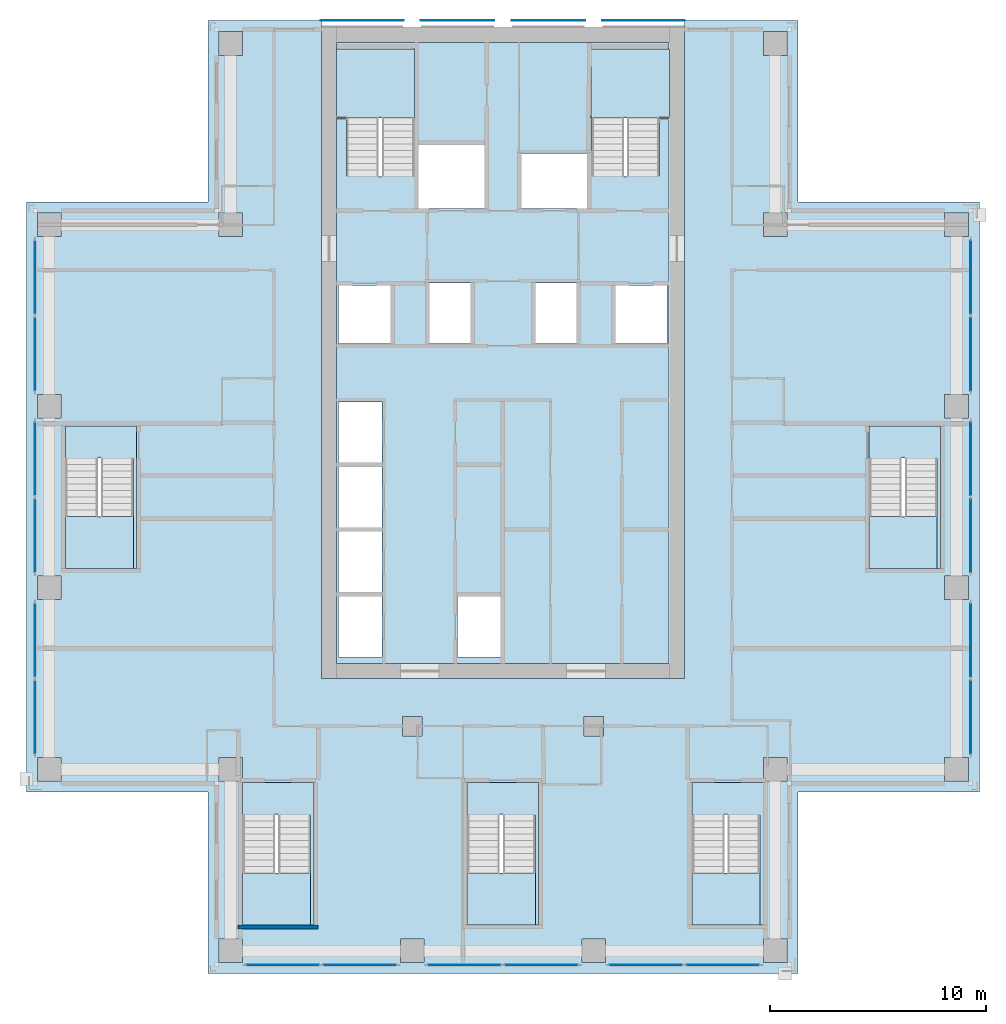
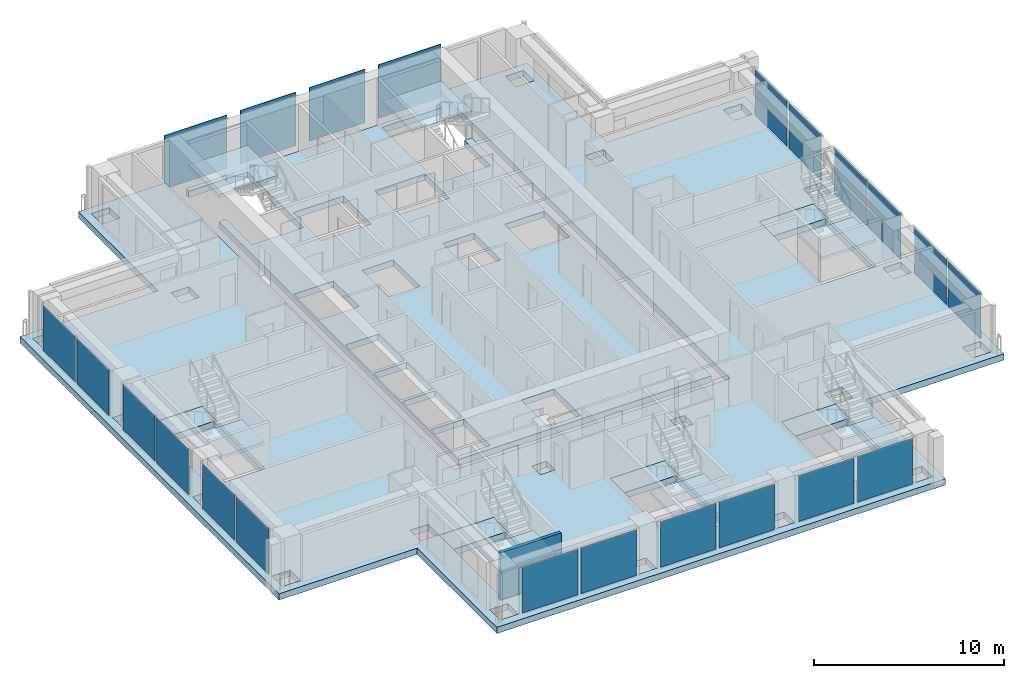
# One storey, part 8 of 16: 22 plates, 14 slabs, 1 wall, 16 elements without a shape of their own.
"""IFC4 building model written with IfcOpenShell, lengths in metres."""

from ifc_helpers import new_model, si_unit, direction, frame, frame_2d, origin, origin_2d, place, context, subcontext, project, spatial, polyline, rectangle, outline, extrude, material, layer, layer_set, type_object, element, aggregate, save


model = new_model("IFC4")

# Units and contexts
model_context = context("Model", 3, precision=1e-05, world=origin(), true_north=direction((0.0, 1.0)))
body_context = subcontext(model_context, "Body", "Model", "MODEL_VIEW")
ifc_project = project(units=[si_unit("LENGTHUNIT", "METRE"), si_unit("AREAUNIT", "SQUARE_METRE"), si_unit("VOLUMEUNIT", "CUBIC_METRE"), si_unit("PLANEANGLEUNIT", "RADIAN"), si_unit("MASSUNIT", "GRAM", prefix="KILO")], contexts=[model_context])

# Site, building, storey
site_placement = place(None, origin())
site = spatial("IfcSite", under=ifc_project, at=site_placement, CompositionType="ELEMENT")
building_placement = place(site_placement, origin())
building = spatial("IfcBuilding", under=site, at=building_placement, Name="Vermilion Ogive Tower", CompositionType="ELEMENT")
storey_placement = place(building_placement, frame((0.0, 0.0, 136.550048828125)))
storey = spatial("IfcBuildingStorey", under=building, at=storey_placement, Name="L34", CompositionType="ELEMENT", Elevation=136.550048828125)

# Curtain wall, plates
ifc_material_1 = material(Name="Low-iron laminated glazing in aluminium frame", Category="aluminium")
curtain_wall_type = type_object("IfcCurtainWallType", Name="Curtain wall CW7", PredefinedType="NOTDEFINED", material=ifc_material_1)
curtain_wall_1_placement = place(storey_placement, origin())
curtain_wall_1 = element("IfcCurtainWall", 1, at=curtain_wall_1_placement, inside=storey, type_object=curtain_wall_type, Name="Glazed skin S1", PredefinedType="NOTDEFINED")
ifc_material_2 = material(Name="Low-iron laminated glazing in aluminium frame", Category="aluminium")
ifc_layer_1 = layer(ifc_material_2, 0.031982421875)
ifc_layer_set_1 = layer_set([ifc_layer_1], Name="CW7 glazing panel 32")
plate_type_1 = type_object("IfcPlateType", Name="CW7 glazing panel 32", PredefinedType="CURTAIN_PANEL", material=ifc_layer_set_1)
plate_1_placement = place(storey_placement, frame((-10.179931640625, -21.64990234375, 0.06005859375), z_axis=(0.0, 0.0, 1.0), x_axis=(1.0, 0.0, 0.0)))
plate_1 = element("IfcPlate", 2, at=plate_1_placement, type_object=plate_type_1, Name="CW7-S1 panel 1.1", PredefinedType="CURTAIN_PANEL", context=body_context, shape_type="SweptSolid", body=[
    extrude(rectangle(XDim=3.3798828125, YDim=0.031982421875, at=origin_2d()), origin(), (0.0, 0.0, 1.0), 2.929931640625),
])
plate_2_placement = place(storey_placement, frame((-6.6201171875, -21.64990234375, 0.06005859375), z_axis=(0.0, 0.0, 1.0), x_axis=(1.0, 0.0, 0.0)))
plate_2 = element("IfcPlate", 3, at=plate_2_placement, type_object=plate_type_1, Name="CW7-S1 panel 2.1", PredefinedType="CURTAIN_PANEL", context=body_context, shape_type="SweptSolid", body=[
    extrude(rectangle(XDim=3.3798828125, YDim=0.031982421875, at=origin_2d()), origin(), (0.0, 0.0, 1.0), 2.929931640625),
])
aggregate(curtain_wall_1, [plate_1, plate_2])

curtain_wall_2_placement = place(storey_placement, origin())
curtain_wall_2 = element("IfcCurtainWall", 4, at=curtain_wall_2_placement, inside=storey, type_object=curtain_wall_type, Name="Glazed skin S2", PredefinedType="NOTDEFINED")
plate_3_placement = place(storey_placement, frame((-1.780029296875, -21.64990234375, 0.06005859375), z_axis=(0.0, 0.0, 1.0), x_axis=(1.0, 0.0, 0.0)))
plate_3 = element("IfcPlate", 5, at=plate_3_placement, type_object=plate_type_1, Name="CW7-S2 panel 1.1", PredefinedType="CURTAIN_PANEL", context=body_context, shape_type="SweptSolid", body=[
    extrude(rectangle(XDim=3.3798828125, YDim=0.031982421875, at=origin_2d()), origin(), (0.0, 0.0, 1.0), 2.929931640625),
])
plate_4_placement = place(storey_placement, frame((1.780029296875, -21.64990234375, 0.06005859375), z_axis=(0.0, 0.0, 1.0), x_axis=(1.0, 0.0, 0.0)))
plate_4 = element("IfcPlate", 6, at=plate_4_placement, type_object=plate_type_1, Name="CW7-S2 panel 2.1", PredefinedType="CURTAIN_PANEL", context=body_context, shape_type="SweptSolid", body=[
    extrude(rectangle(XDim=3.3798828125, YDim=0.031982421875, at=origin_2d()), origin(), (0.0, 0.0, 1.0), 2.929931640625),
])
aggregate(curtain_wall_2, [plate_3, plate_4])

curtain_wall_3_placement = place(storey_placement, origin())
curtain_wall_3 = element("IfcCurtainWall", 7, at=curtain_wall_3_placement, inside=storey, type_object=curtain_wall_type, Name="Glazed skin S3", PredefinedType="NOTDEFINED")
plate_5_placement = place(storey_placement, frame((6.6201171875, -21.64990234375, 0.06005859375), z_axis=(0.0, 0.0, 1.0), x_axis=(1.0, 0.0, 0.0)))
plate_5 = element("IfcPlate", 8, at=plate_5_placement, type_object=plate_type_1, Name="CW7-S3 panel 1.1", PredefinedType="CURTAIN_PANEL", context=body_context, shape_type="SweptSolid", body=[
    extrude(rectangle(XDim=3.3798828125, YDim=0.031982421875, at=origin_2d()), origin(), (0.0, 0.0, 1.0), 2.929931640625),
])
plate_6_placement = place(storey_placement, frame((10.179931640625, -21.64990234375, 0.06005859375), z_axis=(0.0, 0.0, 1.0), x_axis=(1.0, 0.0, 0.0)))
plate_6 = element("IfcPlate", 9, at=plate_6_placement, type_object=plate_type_1, Name="CW7-S3 panel 2.1", PredefinedType="CURTAIN_PANEL", context=body_context, shape_type="SweptSolid", body=[
    extrude(rectangle(XDim=3.3798828125, YDim=0.031982421875, at=origin_2d()), origin(), (0.0, 0.0, 1.0), 2.929931640625),
])
aggregate(curtain_wall_3, [plate_5, plate_6])

curtain_wall_4_placement = place(storey_placement, origin())
curtain_wall_4 = element("IfcCurtainWall", 10, at=curtain_wall_4_placement, inside=storey, type_object=curtain_wall_type, Name="Glazed skin E1", PredefinedType="NOTDEFINED")
plate_7_placement = place(storey_placement, frame((21.64990234375, -10.179931640625, 0.06005859375), z_axis=(0.0, 0.0, 1.0), x_axis=(0.0, 1.0, 0.0)))
plate_7 = element("IfcPlate", 11, at=plate_7_placement, type_object=plate_type_1, Name="CW7-E1 panel 1.1", PredefinedType="CURTAIN_PANEL", context=body_context, shape_type="SweptSolid", body=[
    extrude(rectangle(XDim=3.3798828125, YDim=0.031982421875, at=origin_2d()), origin(), (0.0, 0.0, 1.0), 2.929931640625),
])
plate_8_placement = place(storey_placement, frame((21.64990234375, -6.6201171875, 0.06005859375), z_axis=(0.0, 0.0, 1.0), x_axis=(0.0, 1.0, 0.0)))
plate_8 = element("IfcPlate", 12, at=plate_8_placement, type_object=plate_type_1, Name="CW7-E1 panel 2.1", PredefinedType="CURTAIN_PANEL", context=body_context, shape_type="SweptSolid", body=[
    extrude(rectangle(XDim=3.3798828125, YDim=0.031982421875, at=origin_2d()), origin(), (0.0, 0.0, 1.0), 2.929931640625),
])
aggregate(curtain_wall_4, [plate_7, plate_8])

curtain_wall_5_placement = place(storey_placement, origin())
curtain_wall_5 = element("IfcCurtainWall", 13, at=curtain_wall_5_placement, inside=storey, type_object=curtain_wall_type, Name="Glazed skin E2", PredefinedType="NOTDEFINED")
plate_9_placement = place(storey_placement, frame((21.64990234375, -1.780029296875, 0.06005859375), z_axis=(0.0, 0.0, 1.0), x_axis=(0.0, 1.0, 0.0)))
plate_9 = element("IfcPlate", 14, at=plate_9_placement, type_object=plate_type_1, Name="CW7-E2 panel 1.1", PredefinedType="CURTAIN_PANEL", context=body_context, shape_type="SweptSolid", body=[
    extrude(rectangle(XDim=3.3798828125, YDim=0.031982421875, at=origin_2d()), origin(), (0.0, 0.0, 1.0), 2.929931640625),
])
plate_10_placement = place(storey_placement, frame((21.64990234375, 1.780029296875, 0.06005859375), z_axis=(0.0, 0.0, 1.0), x_axis=(0.0, 1.0, 0.0)))
plate_10 = element("IfcPlate", 15, at=plate_10_placement, type_object=plate_type_1, Name="CW7-E2 panel 2.1", PredefinedType="CURTAIN_PANEL", context=body_context, shape_type="SweptSolid", body=[
    extrude(rectangle(XDim=3.3798828125, YDim=0.031982421875, at=origin_2d()), origin(), (0.0, 0.0, 1.0), 2.929931640625),
])
aggregate(curtain_wall_5, [plate_9, plate_10])

curtain_wall_6_placement = place(storey_placement, origin())
curtain_wall_6 = element("IfcCurtainWall", 16, at=curtain_wall_6_placement, inside=storey, type_object=curtain_wall_type, Name="Glazed skin E3", PredefinedType="NOTDEFINED")
plate_11_placement = place(storey_placement, frame((21.64990234375, 6.6201171875, 0.06005859375), z_axis=(0.0, 0.0, 1.0), x_axis=(0.0, 1.0, 0.0)))
plate_11 = element("IfcPlate", 17, at=plate_11_placement, type_object=plate_type_1, Name="CW7-E3 panel 1.1", PredefinedType="CURTAIN_PANEL", context=body_context, shape_type="SweptSolid", body=[
    extrude(rectangle(XDim=3.3798828125, YDim=0.031982421875, at=origin_2d()), origin(), (0.0, 0.0, 1.0), 2.929931640625),
])
plate_12_placement = place(storey_placement, frame((21.64990234375, 10.179931640625, 0.06005859375), z_axis=(0.0, 0.0, 1.0), x_axis=(0.0, 1.0, 0.0)))
plate_12 = element("IfcPlate", 18, at=plate_12_placement, type_object=plate_type_1, Name="CW7-E3 panel 2.1", PredefinedType="CURTAIN_PANEL", context=body_context, shape_type="SweptSolid", body=[
    extrude(rectangle(XDim=3.3798828125, YDim=0.031982421875, at=origin_2d()), origin(), (0.0, 0.0, 1.0), 2.929931640625),
])
aggregate(curtain_wall_6, [plate_11, plate_12])

curtain_wall_7_placement = place(storey_placement, origin())
curtain_wall_7 = element("IfcCurtainWall", 19, at=curtain_wall_7_placement, inside=storey, type_object=curtain_wall_type, Name="Glazed skin W1", PredefinedType="NOTDEFINED")
plate_13_placement = place(storey_placement, frame((-21.64990234375, 10.179931640625, 0.06005859375), z_axis=(0.0, 0.0, 1.0), x_axis=(0.0, -1.0, 0.0)))
plate_13 = element("IfcPlate", 20, at=plate_13_placement, type_object=plate_type_1, Name="CW7-W1 panel 1.1", PredefinedType="CURTAIN_PANEL", context=body_context, shape_type="SweptSolid", body=[
    extrude(rectangle(XDim=3.3798828125, YDim=0.031982421875, at=origin_2d()), origin(), (0.0, 0.0, 1.0), 2.929931640625),
])
plate_14_placement = place(storey_placement, frame((-21.64990234375, 6.6201171875, 0.06005859375), z_axis=(0.0, 0.0, 1.0), x_axis=(0.0, -1.0, 0.0)))
plate_14 = element("IfcPlate", 21, at=plate_14_placement, type_object=plate_type_1, Name="CW7-W1 panel 2.1", PredefinedType="CURTAIN_PANEL", context=body_context, shape_type="SweptSolid", body=[
    extrude(rectangle(XDim=3.3798828125, YDim=0.031982421875, at=origin_2d()), origin(), (0.0, 0.0, 1.0), 2.929931640625),
])
aggregate(curtain_wall_7, [plate_13, plate_14])

curtain_wall_8_placement = place(storey_placement, origin())
curtain_wall_8 = element("IfcCurtainWall", 22, at=curtain_wall_8_placement, inside=storey, type_object=curtain_wall_type, Name="Glazed skin W2", PredefinedType="NOTDEFINED")
plate_15_placement = place(storey_placement, frame((-21.64990234375, 1.780029296875, 0.06005859375), z_axis=(0.0, 0.0, 1.0), x_axis=(0.0, -1.0, 0.0)))
plate_15 = element("IfcPlate", 23, at=plate_15_placement, type_object=plate_type_1, Name="CW7-W2 panel 1.1", PredefinedType="CURTAIN_PANEL", context=body_context, shape_type="SweptSolid", body=[
    extrude(rectangle(XDim=3.3798828125, YDim=0.031982421875, at=origin_2d()), origin(), (0.0, 0.0, 1.0), 2.929931640625),
])
plate_16_placement = place(storey_placement, frame((-21.64990234375, -1.780029296875, 0.06005859375), z_axis=(0.0, 0.0, 1.0), x_axis=(0.0, -1.0, 0.0)))
plate_16 = element("IfcPlate", 24, at=plate_16_placement, type_object=plate_type_1, Name="CW7-W2 panel 2.1", PredefinedType="CURTAIN_PANEL", context=body_context, shape_type="SweptSolid", body=[
    extrude(rectangle(XDim=3.3798828125, YDim=0.031982421875, at=origin_2d()), origin(), (0.0, 0.0, 1.0), 2.929931640625),
])
aggregate(curtain_wall_8, [plate_15, plate_16])

curtain_wall_9_placement = place(storey_placement, origin())
curtain_wall_9 = element("IfcCurtainWall", 25, at=curtain_wall_9_placement, inside=storey, type_object=curtain_wall_type, Name="Glazed skin W3", PredefinedType="NOTDEFINED")
plate_17_placement = place(storey_placement, frame((-21.64990234375, -6.6201171875, 0.06005859375), z_axis=(0.0, 0.0, 1.0), x_axis=(0.0, -1.0, 0.0)))
plate_17 = element("IfcPlate", 26, at=plate_17_placement, type_object=plate_type_1, Name="CW7-W3 panel 1.1", PredefinedType="CURTAIN_PANEL", context=body_context, shape_type="SweptSolid", body=[
    extrude(rectangle(XDim=3.3798828125, YDim=0.031982421875, at=origin_2d()), origin(), (0.0, 0.0, 1.0), 2.929931640625),
])
plate_18_placement = place(storey_placement, frame((-21.64990234375, -10.179931640625, 0.06005859375), z_axis=(0.0, 0.0, 1.0), x_axis=(0.0, -1.0, 0.0)))
plate_18 = element("IfcPlate", 27, at=plate_18_placement, type_object=plate_type_1, Name="CW7-W3 panel 2.1", PredefinedType="CURTAIN_PANEL", context=body_context, shape_type="SweptSolid", body=[
    extrude(rectangle(XDim=3.3798828125, YDim=0.031982421875, at=origin_2d()), origin(), (0.0, 0.0, 1.0), 2.929931640625),
])
aggregate(curtain_wall_9, [plate_17, plate_18])

# Slabs
ifc_material_3 = material(Name="Concrete B40", Category="concrete")
ifc_layer_2 = layer(ifc_material_3, 0.39990234375)
ifc_layer_set_2 = layer_set([ifc_layer_2], Name="Core floor slab 400 B40")
slab_type_1 = type_object("IfcSlabType", Name="Core floor slab 400 B40", PredefinedType="FLOOR", material=ifc_layer_set_2)
slab_1_placement = place(storey_placement, frame((0.0, 0.0, -0.400146484375)))
element("IfcSlab", 28, at=slab_1_placement, inside=storey, type_object=slab_type_1, Name="L34-CK-FS1", PredefinedType="FLOOR", context=body_context, shape_type="SweptSolid", body=[
    extrude(outline(polyline([(5.75, 14.85009765625), (5.60009765625, 14.85009765625), (5.60009765625, 14.85205078125), (4.10009765625, 14.85205078125), (4.10009765625, 17.550048828125), (4.074951171875, 17.550048828125), (4.074951171875, 20.75), (7.696044921875, 20.75), (7.696044921875, 21.0458984375), (-7.696044921875, 21.0458984375), (-7.696044921875, 20.75), (-4.10009765625, 20.75), (-4.10009765625, 14.85205078125), (-5.60009765625, 14.85205078125), (-5.60009765625, 14.85009765625), (-5.75, 14.85009765625), (-5.75, 14.85205078125), (-7.25, 14.85205078125), (-7.25, 17.550048828125), (-7.696044921875, 17.550048828125), (-7.696044921875, -7.696044921875), (7.696044921875, -7.696044921875), (7.696044921875, 17.550048828125), (7.25, 17.550048828125), (7.25, 14.85205078125), (5.75, 14.85205078125), (5.75, 14.85009765625)]), holes=[polyline([(-7.60009765625, -7.39990234375), (-7.60009765625, -4.60009765625), (-5.60009765625, -4.60009765625), (-5.60009765625, -7.39990234375), (-7.60009765625, -7.39990234375)]), polyline([(-7.60009765625, -4.39990234375), (-7.60009765625, -1.60009765625), (-5.60009765625, -1.60009765625), (-5.60009765625, -4.39990234375), (-7.60009765625, -4.39990234375)]), polyline([(-7.60009765625, -1.39990234375), (-7.60009765625, 1.39990234375), (-5.60009765625, 1.39990234375), (-5.60009765625, -1.39990234375), (-7.60009765625, -1.39990234375)]), polyline([(-7.60009765625, 1.60009765625), (-7.60009765625, 4.39990234375), (-5.60009765625, 4.39990234375), (-5.60009765625, 1.60009765625), (-7.60009765625, 1.60009765625)]), polyline([(-7.60009765625, 7.10009765625), (-7.60009765625, 9.800048828125), (-5.199951171875, 9.800048828125), (-5.199951171875, 7.10009765625), (-7.60009765625, 7.10009765625)]), polyline([(-3.39990234375, 9.89990234375), (-1.5, 9.89990234375), (-1.5, 7.10009765625), (-3.39990234375, 7.10009765625), (-3.39990234375, 9.89990234375)]), polyline([(-2.10009765625, -7.39990234375), (-2.10009765625, -4.60009765625), (-0.10009765625, -4.60009765625), (-0.10009765625, -7.39990234375), (-2.10009765625, -7.39990234375)]), polyline([(5.199951171875, 7.10009765625), (5.199951171875, 9.800048828125), (7.60009765625, 9.800048828125), (7.60009765625, 7.10009765625), (5.199951171875, 7.10009765625)]), polyline([(1.5, 7.10009765625), (1.5, 9.89990234375), (3.39990234375, 9.89990234375), (3.39990234375, 7.10009765625), (1.5, 7.10009765625)]), polyline([(0.85009765625, 13.35009765625), (0.85009765625, 15.89990234375), (3.89990234375, 15.89990234375), (3.89990234375, 13.35009765625), (0.85009765625, 13.35009765625)]), polyline([(-3.89990234375, 16.300048828125), (-0.85009765625, 16.300048828125), (-0.85009765625, 13.35009765625), (-3.89990234375, 13.35009765625), (-3.89990234375, 16.300048828125)])]), origin(), (0.0, 0.0, 1.0), 0.400146484375),
])
slab_2_placement = place(storey_placement, frame((0.0, 0.0, -0.400146484375)))
element("IfcSlab", 29, at=slab_2_placement, inside=storey, type_object=slab_type_1, Name="L34-SF-ST3-1", PredefinedType="FLOOR", context=body_context, shape_type="SweptSolid", body=[
    extrude(outline(polyline([(-12.050048828125, -13.199951171875), (-12.050048828125, -14.701904296875), (-10.550048828125, -14.701904296875), (-10.550048828125, -14.699951171875), (-10.39990234375, -14.699951171875), (-10.39990234375, -14.701904296875), (-8.89990234375, -14.701904296875), (-8.89990234375, -19.800048828125), (-8.75, -19.800048828125), (-8.75, -13.199951171875), (-12.050048828125, -13.199951171875)])), origin(), (0.0, 0.0, 1.0), 0.400146484375),
])
slab_3_placement = place(storey_placement, frame((0.0, 0.0, -0.400146484375)))
element("IfcSlab", 30, at=slab_3_placement, inside=storey, type_object=slab_type_1, Name="L34-SF-ST4-1", PredefinedType="FLOOR", context=body_context, shape_type="SweptSolid", body=[
    extrude(outline(polyline([(-1.64990234375, -13.199951171875), (-1.64990234375, -14.701904296875), (-0.14990234375, -14.701904296875), (-0.14990234375, -14.699951171875), (0.0, -14.699951171875), (0.0, -14.701904296875), (1.5, -14.701904296875), (1.5, -19.800048828125), (1.64990234375, -19.800048828125), (1.64990234375, -13.199951171875), (-1.64990234375, -13.199951171875)])), origin(), (0.0, 0.0, 1.0), 0.400146484375),
])
slab_4_placement = place(storey_placement, frame((0.0, 0.0, -0.400146484375)))
element("IfcSlab", 31, at=slab_4_placement, inside=storey, type_object=slab_type_1, Name="L34-SF-ST5-1", PredefinedType="FLOOR", context=body_context, shape_type="SweptSolid", body=[
    extrude(outline(polyline([(8.75, -13.199951171875), (8.75, -14.701904296875), (10.25, -14.701904296875), (10.25, -14.699951171875), (10.39990234375, -14.699951171875), (10.39990234375, -14.701904296875), (11.89990234375, -14.701904296875), (11.89990234375, -19.800048828125), (12.050048828125, -19.800048828125), (12.050048828125, -13.199951171875), (8.75, -13.199951171875)])), origin(), (0.0, 0.0, 1.0), 0.400146484375),
])
slab_5_placement = place(storey_placement, frame((0.0, 0.0, -0.400146484375)))
element("IfcSlab", 32, at=slab_5_placement, inside=storey, type_object=slab_type_1, Name="L34-SF-ST8-1", PredefinedType="FLOOR", context=body_context, shape_type="SweptSolid", body=[
    extrude(outline(polyline([(16.949951171875, 3.300048828125), (16.949951171875, 1.798095703125), (18.449951171875, 1.798095703125), (18.449951171875, 1.800048828125), (18.60009765625, 1.800048828125), (18.60009765625, 1.798095703125), (20.10009765625, 1.798095703125), (20.10009765625, -3.300048828125), (20.25, -3.300048828125), (20.25, 3.300048828125), (16.949951171875, 3.300048828125)])), origin(), (0.0, 0.0, 1.0), 0.400146484375),
])
slab_6_placement = place(storey_placement, frame((0.0, 0.0, -0.400146484375)))
element("IfcSlab", 33, at=slab_6_placement, inside=storey, type_object=slab_type_1, Name="L34-SF-ST9-1", PredefinedType="FLOOR", context=body_context, shape_type="SweptSolid", body=[
    extrude(outline(polyline([(-20.25, 3.300048828125), (-20.25, 1.798095703125), (-18.75, 1.798095703125), (-18.75, 1.800048828125), (-18.60009765625, 1.800048828125), (-18.60009765625, 1.798095703125), (-17.10009765625, 1.798095703125), (-17.10009765625, -3.300048828125), (-16.949951171875, -3.300048828125), (-16.949951171875, 3.300048828125), (-20.25, 3.300048828125)])), origin(), (0.0, 0.0, 1.0), 0.400146484375),
])

# Plates
ifc_material_4 = material(Name="Low-iron laminated glazing in aluminium frame", Category="aluminium")
ifc_layer_3 = layer(ifc_material_4, 0.031982421875)
ifc_layer_set_3 = layer_set([ifc_layer_3], Name="Glazed rainscreen sheet 32")
plate_type_2 = type_object("IfcPlateType", Name="Glazed rainscreen sheet 32", PredefinedType="SHEET", material=ifc_layer_set_3)
plate_19_placement = place(storey_placement, frame((-6.510009765625, 22.06591796875, -0.39990234375), z_axis=(0.0, 0.0, 1.0), x_axis=(1.0, 0.0, 0.0)))
element("IfcPlate", 34, at=plate_19_placement, inside=storey, type_object=plate_type_2, Name="Glazed rainscreen sheet N1", PredefinedType="SHEET", context=body_context, shape_type="SweptSolid", body=[
    extrude(rectangle(XDim=3.820068359375, YDim=0.031982421875, at=origin_2d()), origin(), (0.0, 0.0, 1.0), 3.449951171875),
])
for number, where, z_axis, x_axis, name in (
    (35, (-2.10009765625, 22.06591796875, -0.39990234375), (0.0, 0.0, 1.0), (1.0, 0.0, 0.0), "Glazed rainscreen sheet N2"),
    (36, (2.10009765625, 22.06591796875, -0.39990234375), (0.0, 0.0, 1.0), (1.0, 0.0, 0.0), "Glazed rainscreen sheet N3"),
):
    element("IfcPlate", number, at=place(storey_placement, frame(where, z_axis=z_axis, x_axis=x_axis)), inside=storey, type_object=plate_type_2, Name=name, PredefinedType="SHEET", context=body_context, shape_type="SweptSolid", body=[
        extrude(rectangle(XDim=3.39990234375, YDim=0.031982421875, at=origin_2d()), origin(), (0.0, 0.0, 1.0), 3.449951171875),
    ])
plate_20_placement = place(storey_placement, frame((6.510009765625, 22.06591796875, -0.39990234375), z_axis=(0.0, 0.0, 1.0), x_axis=(1.0, 0.0, 0.0)))
element("IfcPlate", 37, at=plate_20_placement, inside=storey, type_object=plate_type_2, Name="Glazed rainscreen sheet N4", PredefinedType="SHEET", context=body_context, shape_type="SweptSolid", body=[
    extrude(rectangle(XDim=3.820068359375, YDim=0.031982421875, at=origin_2d()), origin(), (0.0, 0.0, 1.0), 3.449951171875),
])

# Slab
ifc_material_5 = material(Name="Concrete B45", Category="concrete")
ifc_layer_4 = layer(ifc_material_5, 0.39990234375)
ifc_layer_set_4 = layer_set([ifc_layer_4], Name="Post-tensioned flat plate 400 B45")
slab_type_2 = type_object("IfcSlabType", Name="Post-tensioned flat plate 400 B45", PredefinedType="FLOOR", material=ifc_layer_set_4)
slab_7_placement = place(storey_placement, frame((0.0, 0.0, -0.400146484375)))
element("IfcSlab", 38, at=slab_7_placement, inside=storey, type_object=slab_type_2, Name="L34-SL-1", PredefinedType="FLOOR", context=body_context, shape_type="SweptSolid", body=[
    extrude(outline(polyline([(-13.64990234375, -13.64990234375), (-22.050048828125, -13.64990234375), (-22.050048828125, 13.64990234375), (-13.64990234375, 13.64990234375), (-13.64990234375, 22.050048828125), (-8.39990234375, 22.050048828125), (-8.39990234375, -8.39990234375), (8.39990234375, -8.39990234375), (8.39990234375, 22.050048828125), (13.64990234375, 22.050048828125), (13.64990234375, 13.64990234375), (22.050048828125, 13.64990234375), (22.050048828125, -13.64990234375), (13.64990234375, -13.64990234375), (13.64990234375, -22.050048828125), (-13.64990234375, -22.050048828125), (-13.64990234375, -13.64990234375)]), holes=[polyline([(21.550048828125, 12.050048828125), (21.550048828125, 13.14990234375), (20.449951171875, 13.14990234375), (20.449951171875, 12.050048828125), (21.550048828125, 12.050048828125)]), polyline([(21.550048828125, 3.64990234375), (21.550048828125, 4.75), (20.449951171875, 4.75), (20.449951171875, 3.64990234375), (21.550048828125, 3.64990234375)]), polyline([(21.550048828125, -4.75), (21.550048828125, -3.64990234375), (20.449951171875, -3.64990234375), (20.449951171875, -4.75), (21.550048828125, -4.75)]), polyline([(21.550048828125, -13.14990234375), (21.550048828125, -12.050048828125), (20.449951171875, -12.050048828125), (20.449951171875, -13.14990234375), (21.550048828125, -13.14990234375)]), polyline([(20.25, -3.300048828125), (20.25, 3.300048828125), (16.949951171875, 3.300048828125), (16.949951171875, -3.300048828125), (20.25, -3.300048828125)]), polyline([(13.14990234375, 20.449951171875), (13.14990234375, 21.550048828125), (12.050048828125, 21.550048828125), (12.050048828125, 20.449951171875), (13.14990234375, 20.449951171875)]), polyline([(13.14990234375, 12.050048828125), (13.14990234375, 13.14990234375), (12.050048828125, 13.14990234375), (12.050048828125, 12.050048828125), (13.14990234375, 12.050048828125)]), polyline([(13.14990234375, -13.14990234375), (13.14990234375, -12.050048828125), (12.050048828125, -12.050048828125), (12.050048828125, -13.14990234375), (13.14990234375, -13.14990234375)]), polyline([(13.14990234375, -21.550048828125), (13.14990234375, -20.449951171875), (12.050048828125, -20.449951171875), (12.050048828125, -21.550048828125), (13.14990234375, -21.550048828125)]), polyline([(12.050048828125, -19.800048828125), (12.050048828125, -13.199951171875), (8.75, -13.199951171875), (8.75, -19.800048828125), (12.050048828125, -19.800048828125)]), polyline([(4.75, -20.449951171875), (3.64990234375, -20.449951171875), (3.64990234375, -21.550048828125), (4.75, -21.550048828125), (4.75, -20.449951171875)]), polyline([(4.64990234375, -11.050048828125), (4.64990234375, -10.14990234375), (3.75, -10.14990234375), (3.75, -11.050048828125), (4.64990234375, -11.050048828125)]), polyline([(1.64990234375, -19.800048828125), (1.64990234375, -13.199951171875), (-1.64990234375, -13.199951171875), (-1.64990234375, -19.800048828125), (1.64990234375, -19.800048828125)]), polyline([(-3.64990234375, -21.550048828125), (-3.64990234375, -20.449951171875), (-4.75, -20.449951171875), (-4.75, -21.550048828125), (-3.64990234375, -21.550048828125)]), polyline([(-3.75, -11.050048828125), (-3.75, -10.14990234375), (-4.64990234375, -10.14990234375), (-4.64990234375, -11.050048828125), (-3.75, -11.050048828125)]), polyline([(-8.75, -19.800048828125), (-8.75, -13.199951171875), (-12.050048828125, -13.199951171875), (-12.050048828125, -19.800048828125), (-8.75, -19.800048828125)]), polyline([(-12.050048828125, 20.449951171875), (-12.050048828125, 21.550048828125), (-13.14990234375, 21.550048828125), (-13.14990234375, 20.449951171875), (-12.050048828125, 20.449951171875)]), polyline([(-12.050048828125, 12.050048828125), (-12.050048828125, 13.14990234375), (-13.14990234375, 13.14990234375), (-13.14990234375, 12.050048828125), (-12.050048828125, 12.050048828125)]), polyline([(-12.050048828125, -13.14990234375), (-12.050048828125, -12.050048828125), (-13.14990234375, -12.050048828125), (-13.14990234375, -13.14990234375), (-12.050048828125, -13.14990234375)]), polyline([(-12.050048828125, -20.449951171875), (-13.14990234375, -20.449951171875), (-13.14990234375, -21.550048828125), (-12.050048828125, -21.550048828125), (-12.050048828125, -20.449951171875)]), polyline([(-16.949951171875, -3.300048828125), (-16.949951171875, 3.300048828125), (-20.25, 3.300048828125), (-20.25, -3.300048828125), (-16.949951171875, -3.300048828125)]), polyline([(-20.449951171875, -13.14990234375), (-20.449951171875, -12.050048828125), (-21.550048828125, -12.050048828125), (-21.550048828125, -13.14990234375), (-20.449951171875, -13.14990234375)]), polyline([(-20.449951171875, 12.050048828125), (-20.449951171875, 13.14990234375), (-21.550048828125, 13.14990234375), (-21.550048828125, 12.050048828125), (-20.449951171875, 12.050048828125)]), polyline([(-20.449951171875, 3.64990234375), (-20.449951171875, 4.75), (-21.550048828125, 4.75), (-21.550048828125, 3.64990234375), (-20.449951171875, 3.64990234375)]), polyline([(-20.449951171875, -4.75), (-20.449951171875, -3.64990234375), (-21.550048828125, -3.64990234375), (-21.550048828125, -4.75), (-20.449951171875, -4.75)])]), origin(), (0.0, 0.0, 1.0), 0.400146484375),
])

# Stair, slab
ifc_material_6 = material(Name="Concrete B40", Category="concrete")
stair_type = type_object("IfcStairType", Name="Exit stair 1500", PredefinedType="HALF_TURN_STAIR", material=ifc_material_6)
stair_1_placement = place(storey_placement, origin())
stair_1 = element("IfcStair", 39, at=stair_1_placement, inside=storey, type_object=stair_type, Name="L34 Exit Stair ST1", PredefinedType="HALF_TURN_STAIR")
ifc_material_7 = material(Name="Concrete B40", Category="concrete")
ifc_layer_5 = layer(ifc_material_7, 0.199951171875)
ifc_layer_set_5 = layer_set([ifc_layer_5], Name="Stair landing 200")
slab_type_3 = type_object("IfcSlabType", Name="Stair landing 200", PredefinedType="LANDING", material=ifc_layer_set_5)
slab_8_placement = place(storey_placement, frame((0.0, 0.0, 1.52490234375)))
slab_8 = element("IfcSlab", 40, at=slab_8_placement, type_object=slab_type_3, Name="ST1 landing 1", PredefinedType="LANDING", context=body_context, shape_type="SweptSolid", body=[
    extrude(outline(polyline([(-7.699951171875, 17.550048828125), (-7.25, 17.550048828125), (-7.25, 17.548095703125), (-5.75, 17.548095703125), (-5.75, 17.550048828125), (-5.60009765625, 17.550048828125), (-5.60009765625, 17.548095703125), (-4.10009765625, 17.548095703125), (-4.10009765625, 20.75), (-7.699951171875, 20.75), (-7.699951171875, 17.550048828125)])), origin(), (0.0, 0.0, 1.0), 0.199951171875),
])
aggregate(stair_1, [slab_8])

stair_2_placement = place(storey_placement, origin())
stair_2 = element("IfcStair", 41, at=stair_2_placement, inside=storey, type_object=stair_type, Name="L34 Exit Stair ST2", PredefinedType="HALF_TURN_STAIR")
slab_9_placement = place(storey_placement, frame((0.0, 0.0, 1.52490234375)))
slab_9 = element("IfcSlab", 42, at=slab_9_placement, type_object=slab_type_3, Name="ST2 landing 1", PredefinedType="LANDING", context=body_context, shape_type="SweptSolid", body=[
    extrude(outline(polyline([(5.60009765625, 17.550048828125), (5.75, 17.550048828125), (5.75, 17.548095703125), (7.25, 17.548095703125), (7.25, 17.550048828125), (7.699951171875, 17.550048828125), (7.699951171875, 20.75), (4.074951171875, 20.75), (4.074951171875, 17.550048828125), (4.10009765625, 17.550048828125), (4.10009765625, 17.548095703125), (5.60009765625, 17.548095703125), (5.60009765625, 17.550048828125)])), origin(), (0.0, 0.0, 1.0), 0.199951171875),
])
aggregate(stair_2, [slab_9])

stair_3_placement = place(storey_placement, origin())
stair_3 = element("IfcStair", 43, at=stair_3_placement, inside=storey, type_object=stair_type, Name="L34 Exit Stair ST3", PredefinedType="HALF_TURN_STAIR")
slab_10_placement = place(storey_placement, frame((0.0, 0.0, 1.52490234375)))
slab_10 = element("IfcSlab", 44, at=slab_10_placement, type_object=slab_type_3, Name="ST3 landing 1", PredefinedType="LANDING", context=body_context, shape_type="SweptSolid", body=[
    extrude(outline(polyline([(-8.75, -17.39990234375), (-8.89990234375, -17.39990234375), (-8.89990234375, -17.39794921875), (-10.39990234375, -17.39794921875), (-10.39990234375, -17.39990234375), (-10.550048828125, -17.39990234375), (-10.550048828125, -17.39794921875), (-12.050048828125, -17.39794921875), (-12.050048828125, -19.800048828125), (-8.75, -19.800048828125), (-8.75, -17.39990234375)])), origin(), (0.0, 0.0, 1.0), 0.199951171875),
])
aggregate(stair_3, [slab_10])

stair_4_placement = place(storey_placement, origin())
stair_4 = element("IfcStair", 45, at=stair_4_placement, inside=storey, type_object=stair_type, Name="L34 Exit Stair ST4", PredefinedType="HALF_TURN_STAIR")
slab_11_placement = place(storey_placement, frame((0.0, 0.0, 1.52490234375)))
slab_11 = element("IfcSlab", 46, at=slab_11_placement, type_object=slab_type_3, Name="ST4 landing 1", PredefinedType="LANDING", context=body_context, shape_type="SweptSolid", body=[
    extrude(outline(polyline([(1.64990234375, -17.39990234375), (1.5, -17.39990234375), (1.5, -17.39794921875), (0.0, -17.39794921875), (0.0, -17.39990234375), (-0.14990234375, -17.39990234375), (-0.14990234375, -17.39794921875), (-1.64990234375, -17.39794921875), (-1.64990234375, -19.7998046875), (1.64990234375, -19.7998046875), (1.64990234375, -17.39990234375)])), origin(), (0.0, 0.0, 1.0), 0.199951171875),
])
aggregate(stair_4, [slab_11])

stair_5_placement = place(storey_placement, origin())
stair_5 = element("IfcStair", 47, at=stair_5_placement, inside=storey, type_object=stair_type, Name="L34 Exit Stair ST5", PredefinedType="HALF_TURN_STAIR")
slab_12_placement = place(storey_placement, frame((0.0, 0.0, 1.52490234375)))
slab_12 = element("IfcSlab", 48, at=slab_12_placement, type_object=slab_type_3, Name="ST5 landing 1", PredefinedType="LANDING", context=body_context, shape_type="SweptSolid", body=[
    extrude(outline(polyline([(12.050048828125, -17.39990234375), (11.89990234375, -17.39990234375), (11.89990234375, -17.39794921875), (10.39990234375, -17.39794921875), (10.39990234375, -17.39990234375), (10.25, -17.39990234375), (10.25, -17.39794921875), (8.75, -17.39794921875), (8.75, -19.800048828125), (12.050048828125, -19.800048828125), (12.050048828125, -17.39990234375)])), origin(), (0.0, 0.0, 1.0), 0.199951171875),
])
aggregate(stair_5, [slab_12])

stair_6_placement = place(storey_placement, origin())
stair_6 = element("IfcStair", 49, at=stair_6_placement, inside=storey, type_object=stair_type, Name="L34 Exit Stair ST8", PredefinedType="HALF_TURN_STAIR")
slab_13_placement = place(storey_placement, frame((0.0, 0.0, 1.52490234375)))
slab_13 = element("IfcSlab", 50, at=slab_13_placement, type_object=slab_type_3, Name="ST8 landing 1", PredefinedType="LANDING", context=body_context, shape_type="SweptSolid", body=[
    extrude(outline(polyline([(20.25, -0.89990234375), (20.10009765625, -0.89990234375), (20.10009765625, -0.89794921875), (18.60009765625, -0.89794921875), (18.60009765625, -0.89990234375), (18.449951171875, -0.89990234375), (18.449951171875, -0.89794921875), (16.949951171875, -0.89794921875), (16.949951171875, -0.902099609375), (16.9501953125, -0.902099609375), (16.9501953125, -3.2998046875), (20.25, -3.2998046875), (20.25, -0.89990234375)])), origin(), (0.0, 0.0, 1.0), 0.199951171875),
])
aggregate(stair_6, [slab_13])

stair_7_placement = place(storey_placement, origin())
stair_7 = element("IfcStair", 51, at=stair_7_placement, inside=storey, type_object=stair_type, Name="L34 Exit Stair ST9", PredefinedType="HALF_TURN_STAIR")
slab_14_placement = place(storey_placement, frame((0.0, 0.0, 1.52490234375)))
slab_14 = element("IfcSlab", 52, at=slab_14_placement, type_object=slab_type_3, Name="ST9 landing 1", PredefinedType="LANDING", context=body_context, shape_type="SweptSolid", body=[
    extrude(outline(polyline([(-16.9501953125, -0.89990234375), (-17.10009765625, -0.89990234375), (-17.10009765625, -0.89794921875), (-18.60009765625, -0.89794921875), (-18.60009765625, -0.89990234375), (-18.75, -0.89990234375), (-18.75, -0.89794921875), (-20.25, -0.89794921875), (-20.25, -0.89990234375), (-20.25, -0.89990234375), (-20.25, -3.2998046875), (-16.9501953125, -3.2998046875), (-16.9501953125, -0.89990234375)])), origin(), (0.0, 0.0, 1.0), 0.199951171875),
])
aggregate(stair_7, [slab_14])

# Wall
ifc_material_8 = material(Name="Concrete B60", Category="concrete")
ifc_layer_6 = layer(ifc_material_8, 0.199951171875)
ifc_layer_set_6 = layer_set([ifc_layer_6], Name="Stair shaft wall 200 Concrete B60")
wall_type = type_object("IfcWallType", Name="Stair shaft wall 200 Concrete B60", PredefinedType="SOLIDWALL", material=ifc_layer_set_6)
wall_placement = place(storey_placement, frame((-12.25, -19.89990234375, 0.0), z_axis=(0.0, 0.0, 1.0), x_axis=(1.0, 0.0, 0.0)))
element("IfcWall", 53, at=wall_placement, inside=storey, type_object=wall_type, Name="L34-SW-ST3-S1", PredefinedType="SOLIDWALL", context=body_context, shape_type="SweptSolid", body=[
    extrude(rectangle(XDim=3.699951171875, YDim=0.199951171875, at=frame_2d((1.85009765625, 0.0))), origin(), (0.0, 0.0, 1.0), 3.050048828125),
])

save(model, "model.ifc")
